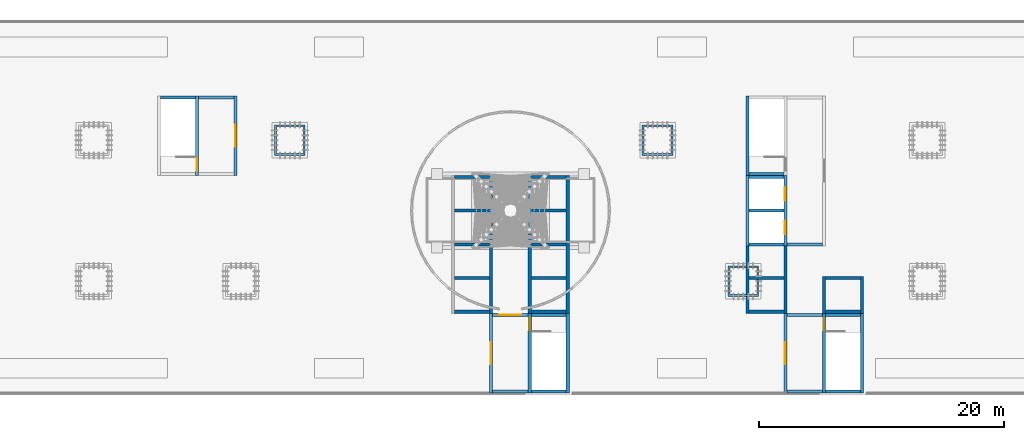
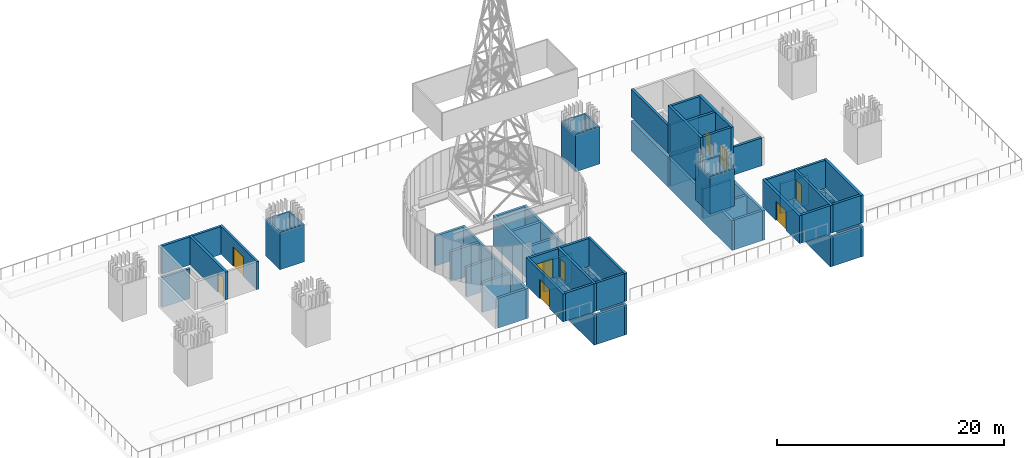
# One storey, part 3 of 8: 64 walls, 9 doors, 9 openings.
"""IFC4 building model written with IfcOpenShell, lengths in metres."""

import ifcopenshell
import ifcopenshell.guid

model = None  # the IFC model being written
_history = None  # IfcOwnerHistory: only IFC2X3 demands one
_inside = {}  # id of a spatial element -> (the spatial element, [elements in it])
_under = {}  # id of a project, library or spatial element -> (it, [spatial elements below it])
_declared = {}  # id of a project -> (the project, [libraries it declares])
_typed = {}  # id of a type object -> (the type object, [elements of that type])
_made_of = {}  # id of a material, layer set ... -> (it, [elements and type objects made of it])


def new_model(schema):
    """Start an empty IFC model of exactly this schema.

    Asked for "IFC4X3", IfcOpenShell would pick the latest addendum, in which some entities
    have other attributes; the version numbers below select the first issue.
    IFC2X3 requires an IfcOwnerHistory on every rooted entity: one is made here for all.
    """
    global model, _history
    if schema == "IFC4X3":
        model = ifcopenshell.file(schema_version=(4, 3, 0, 0))
    else:
        model = ifcopenshell.file(schema=schema)
    _inside.clear()
    _under.clear()
    _declared.clear()
    _typed.clear()
    _made_of.clear()
    _history = None
    if model.schema == "IFC2X3":
        org = make("IfcOrganization", Name="unknown")
        user = make(
            "IfcPersonAndOrganization",
            ThePerson=make("IfcPerson", FamilyName="unknown"),
            TheOrganization=org,
        )
        app = make(
            "IfcApplication",
            ApplicationDeveloper=org,
            Version="unknown",
            ApplicationFullName="unknown",
            ApplicationIdentifier="unknown",
        )
        _history = make(
            "IfcOwnerHistory",
            OwningUser=user,
            OwningApplication=app,
            ChangeAction="ADDED",
            CreationDate=0,
        )
    return model


def make(cls, **values):
    """One entity of the class cls with the attributes given. An attribute that is None is left unset."""
    return model.create_entity(
        cls, **{name: value for name, value in values.items() if value is not None}
    )


def rooted(cls, **values):
    """An entity with a GlobalId (a new one), such as an element, a storey or a relation."""
    return make(cls, GlobalId=ifcopenshell.guid.new(), OwnerHistory=_history, **values)


def si_unit(unit_type, name, prefix=None):
    """IfcSIUnit, for example si_unit("LENGTHUNIT", "METRE", prefix="MILLI")."""
    return make("IfcSIUnit", UnitType=unit_type, Prefix=prefix, Name=name)


def assignment(units):
    """IfcUnitAssignment: the units of a project."""
    return None if units is None else make("IfcUnitAssignment", Units=units)


def point(xyz):
    """IfcCartesianPoint."""
    return None if xyz is None else make("IfcCartesianPoint", Coordinates=xyz)


def direction(xyz):
    """IfcDirection."""
    return None if xyz is None else make("IfcDirection", DirectionRatios=xyz)


def frame(location, z_axis=None, x_axis=None):
    """IfcAxis2Placement3D, a coordinate frame: its origin and axes. An axis left out is left unset."""
    return make(
        "IfcAxis2Placement3D",
        Location=point(location),
        Axis=direction(z_axis),
        RefDirection=direction(x_axis),
    )


def frame_2d(location, x_axis=None):
    """IfcAxis2Placement2D, a coordinate frame in the plane: its origin and x axis."""
    return make(
        "IfcAxis2Placement2D", Location=point(location), RefDirection=direction(x_axis)
    )


def origin():
    """The frame at (0, 0, 0) with its axes left unset."""
    return frame((0.0, 0.0, 0.0))


def place(relative_to, where):
    """IfcLocalPlacement: puts the frame where relative to a parent placement (None: the world)."""
    return make(
        "IfcLocalPlacement", PlacementRelTo=relative_to, RelativePlacement=where
    )


def context(
    kind, dimensions, precision=None, world=None, true_north=None, identifier=None
):
    """IfcGeometricRepresentationContext, for example the 3D "Model" context."""
    return make(
        "IfcGeometricRepresentationContext",
        ContextIdentifier=identifier,
        ContextType=kind,
        CoordinateSpaceDimension=dimensions,
        Precision=precision,
        WorldCoordinateSystem=world,
        TrueNorth=true_north,
    )


def subcontext(parent, identifier, kind, view, scale=None):
    """IfcGeometricRepresentationSubContext, for example "Body" below "Model"."""
    return make(
        "IfcGeometricRepresentationSubContext",
        ContextIdentifier=identifier,
        ContextType=kind,
        ParentContext=parent,
        TargetScale=scale,
        TargetView=view,
    )


def project(units=None, contexts=None):
    """IfcProject with its units and contexts."""
    return rooted(
        "IfcProject",
        Name="project",
        RepresentationContexts=contexts,
        UnitsInContext=assignment(units),
    )


def spatial(cls, under=None, at=None, **own):
    """A site, building, storey or space (cls), placed at a placement, below another one or the project."""
    s = rooted(cls, ObjectPlacement=at, **own)
    if under is not None:
        _under.setdefault(under.id(), (under, []))[1].append(s)
    return s


def polyline(points):
    """IfcPolyline through the points."""
    return make("IfcPolyline", Points=[point(p) for p in points])


def profile(cls, at=None, kind="AREA", **sizes):
    """A parametric profile (cls). Its sizes go by their IFC names, for example OverallWidth=200.0."""
    return make(cls, ProfileType=kind, Position=at, **sizes)


def rectangle(**sizes):
    """IfcRectangleProfileDef."""
    return profile("IfcRectangleProfileDef", **sizes)


def outline(outer, holes=None, kind="AREA"):
    """IfcArbitraryClosedProfileDef: a profile drawn as a closed curve; with holes, ...WithVoids."""
    if holes is None:
        return make("IfcArbitraryClosedProfileDef", ProfileType=kind, OuterCurve=outer)
    return make(
        "IfcArbitraryProfileDefWithVoids",
        ProfileType=kind,
        OuterCurve=outer,
        InnerCurves=holes,
    )


def extrude(swept, where, along, depth):
    """IfcExtrudedAreaSolid: the profile swept, set in the frame where, extruded along a direction by depth."""
    return make(
        "IfcExtrudedAreaSolid",
        SweptArea=swept,
        Position=where,
        ExtrudedDirection=direction(along),
        Depth=depth,
    )


def shape(context_of_items, identifier, shape_type, items):
    """IfcShapeRepresentation: the items that make up one representation, for example the "Body"."""
    return make(
        "IfcShapeRepresentation",
        ContextOfItems=context_of_items,
        RepresentationIdentifier=identifier,
        RepresentationType=shape_type,
        Items=items,
    )


def material(Name=None, Category=None):
    """IfcMaterial."""
    return make("IfcMaterial", Name=Name, Category=Category)


def layer(
    of_material, thickness, ventilated=None, Name=None, Category=None, Priority=None
):
    """IfcMaterialLayer: one layer of a wall or slab, of a material (None: an air gap)."""
    return make(
        "IfcMaterialLayer",
        Material=of_material,
        LayerThickness=thickness,
        IsVentilated=ventilated,
        Name=Name,
        Category=Category,
        Priority=Priority,
    )


def layer_set(layers, Name=None):
    """IfcMaterialLayerSet."""
    return make("IfcMaterialLayerSet", MaterialLayers=layers, LayerSetName=Name)


def made_of(thing, what):
    """Note that an element or type object is made of a material, layer set ...; save() writes the relation."""
    if what is not None:
        _made_of.setdefault(what.id(), (what, []))[1].append(thing)
    return thing


def type_object(cls, material=None, **own):
    """A type object (cls), such as IfcWallType, which elements share."""
    return made_of(rooted(cls, **own), material)


def element(
    cls,
    number,
    at=None,
    inside=None,
    cuts=None,
    type_object=None,
    material=None,
    context=None,
    identifier="Body",
    shape_type=None,
    held_by="IfcProductDefinitionShape",
    body=None,
    shapes=None,
    **own,
):
    """One element of the class cls, such as IfcWall. Its Tag is "e" and its number.

    at: its placement. inside: the storey or other place that contains it. cuts: it is an
    opening in that element (IfcRelVoidsElement). A single representation is given by context,
    identifier, shape_type and body (its items); several are given by shapes. held_by: the class
    of the entity that holds the representations. save() writes the other relations.
    """
    e = rooted(cls, Tag="e%d" % number, ObjectPlacement=at, **own)
    if body is not None:
        shapes = [shape(context, identifier, shape_type, body)]
    if shapes is not None:
        e.Representation = make(held_by, Representations=shapes)
    if inside is not None:
        _inside.setdefault(inside.id(), (inside, []))[1].append(e)
    if cuts is not None:
        rooted(
            "IfcRelVoidsElement", RelatingBuildingElement=cuts, RelatedOpeningElement=e
        )
    if type_object is not None:
        _typed.setdefault(type_object.id(), (type_object, []))[1].append(e)
    return made_of(e, material)


def fill(opening, filler):
    """IfcRelFillsElement: the door or window that sits in an opening."""
    return rooted(
        "IfcRelFillsElement",
        RelatingOpeningElement=opening,
        RelatedBuildingElement=filler,
    )


def aggregate(whole, parts):
    """IfcRelAggregates: a whole, such as a stair, and the parts it consists of."""
    return rooted("IfcRelAggregates", RelatingObject=whole, RelatedObjects=parts)


def save(model, path):
    """Write the relations noted so far, then the file.

    IfcRelAggregates (storeys below a building ...), IfcRelContainedInSpatialStructure (elements
    in a storey), IfcRelDefinesByType, IfcRelAssociatesMaterial and IfcRelDeclares: one each for
    every whole, place, type object, material and project.
    """
    for whole, parts in _under.values():
        aggregate(whole, parts)
    for where, things in _inside.values():
        rooted(
            "IfcRelContainedInSpatialStructure",
            RelatedElements=things,
            RelatingStructure=where,
        )
    for kind, things in _typed.values():
        rooted("IfcRelDefinesByType", RelatedObjects=things, RelatingType=kind)
    for what, things in _made_of.values():
        rooted("IfcRelAssociatesMaterial", RelatedObjects=things, RelatingMaterial=what)
    for by, libraries in _declared.values():
        rooted("IfcRelDeclares", RelatingContext=by, RelatedDefinitions=libraries)
    model.write(path)


model = new_model("IFC4")

# Units and contexts
model_context = context("Model", 3, precision=1e-05, world=origin(), true_north=direction((0.0, 1.0)))
body_context = subcontext(model_context, "Body", "Model", "MODEL_VIEW")
ifc_project = project(units=[si_unit("LENGTHUNIT", "METRE"), si_unit("AREAUNIT", "SQUARE_METRE"), si_unit("VOLUMEUNIT", "CUBIC_METRE"), si_unit("PLANEANGLEUNIT", "RADIAN"), si_unit("MASSUNIT", "GRAM", prefix="KILO")], contexts=[model_context])

# Site, building, storey
site_placement = place(None, origin())
site = spatial("IfcSite", under=ifc_project, at=site_placement, CompositionType="ELEMENT")
building_placement = place(site_placement, origin())
building = spatial("IfcBuilding", under=site, at=building_placement, Name="Mahtab Terrace Research Tower", CompositionType="ELEMENT")
storey_placement = place(building_placement, frame((0.0, 0.0, 289.699951171875)))
storey = spatial("IfcBuildingStorey", under=building, at=storey_placement, Name="L70", CompositionType="ELEMENT", Elevation=289.699951171875)

# Walls
ifc_material_1 = material(Name="Black aluminium cladding panel", Category="aluminium")
ifc_layer_1 = layer(ifc_material_1, 0.14990234375)
ifc_layer_set_1 = layer_set([ifc_layer_1], Name="Badgir exhaust stack wall 150")
wall_type_1 = type_object("IfcWallType", Name="Badgir exhaust stack wall 150", PredefinedType="USERDEFINED", material=ifc_layer_set_1)
wall_1_placement = place(storey_placement, origin())
element("IfcWall", 1, at=wall_1_placement, inside=storey, type_object=wall_type_1, Name="Badgir exhaust stack 4", ObjectType="PLANT STACK", PredefinedType="USERDEFINED", context=body_context, shape_type="SweptSolid", body=[
    extrude(outline(polyline([(-16.75, 10.25), (-16.75, 12.75), (-19.25, 12.75), (-19.25, 10.25), (-16.75, 10.25)]), holes=[polyline([(-16.89990234375, 10.39990234375), (-16.89990234375, 12.60009765625), (-19.10009765625, 12.60009765625), (-19.10009765625, 10.39990234375), (-16.89990234375, 10.39990234375)])]), origin(), (0.0, 0.0, 1.0), 4.0),
])
wall_2_placement = place(storey_placement, origin())
element("IfcWall", 2, at=wall_2_placement, inside=storey, type_object=wall_type_1, Name="Badgir exhaust stack 5", ObjectType="PLANT STACK", PredefinedType="USERDEFINED", context=body_context, shape_type="SweptSolid", body=[
    extrude(outline(polyline([(20.25, -1.25), (20.25, 1.25), (17.75, 1.25), (17.75, -1.25), (20.25, -1.25)]), holes=[polyline([(20.10009765625, -1.10009765625), (20.10009765625, 1.10009765625), (17.89990234375, 1.10009765625), (17.89990234375, -1.10009765625), (20.10009765625, -1.10009765625)])]), origin(), (0.0, 0.0, 1.0), 4.0),
])
wall_3_placement = place(storey_placement, origin())
element("IfcWall", 3, at=wall_3_placement, inside=storey, type_object=wall_type_1, Name="Badgir exhaust stack 6", ObjectType="PLANT STACK", PredefinedType="USERDEFINED", context=body_context, shape_type="SweptSolid", body=[
    extrude(outline(polyline([(13.25, 10.25), (13.25, 12.75), (10.75, 12.75), (10.75, 10.25), (13.25, 10.25)]), holes=[polyline([(13.10009765625, 10.39990234375), (13.10009765625, 12.60009765625), (10.89990234375, 12.60009765625), (10.89990234375, 10.39990234375), (13.10009765625, 10.39990234375)])]), origin(), (0.0, 0.0, 1.0), 4.0),
])
ifc_material_2 = material(Name="Concrete C70/85", Category="concrete")
ifc_layer_2 = layer(ifc_material_2, 0.25)
ifc_layer_set_2 = layer_set([ifc_layer_2], Name="Core wall 250")
wall_type_2 = type_object("IfcWallType", Name="Core wall 250", PredefinedType="SOLIDWALL", material=ifc_layer_set_2)
wall_4_placement = place(storey_placement, frame((-28.550048828125, 15.0, -3.599853515625), z_axis=(0.0, 0.0, 1.0), x_axis=(1.0, 0.0, 0.0)))
element("IfcWall", 4, at=wall_4_placement, inside=storey, type_object=wall_type_2, Name="Stair ST1 plenum wall N", PredefinedType="SOLIDWALL", context=body_context, shape_type="SweptSolid", body=[
    extrude(rectangle(XDim=2.85009765625, YDim=0.25, at=frame_2d((1.425048828125, 0.0))), origin(), (0.0, 0.0, 1.0), 3.199951171875),
])

# Wall, opening, door
wall_5_placement = place(storey_placement, frame((-25.574951171875, 8.625, 0.0), z_axis=(0.0, 0.0, 1.0), x_axis=(0.0, 1.0, 0.0)))
wall_5 = element("IfcWall", 5, at=wall_5_placement, inside=storey, type_object=wall_type_2, Name="Stair ST1 head house wall E", PredefinedType="SOLIDWALL", context=body_context, shape_type="SweptSolid", body=[
    extrude(rectangle(XDim=6.5, YDim=0.25, at=frame_2d((3.25, 0.0))), origin(), (0.0, 0.0, 1.0), 3.0),
])
opening_1_placement = place(wall_5_placement, frame((0.39990234375, 0.0, 0.0)))
opening_1 = element("IfcOpeningElement", 6, at=opening_1_placement, cuts=wall_5, Name="Opening ST1-HD", PredefinedType="OPENING", context=body_context, shape_type="SweptSolid", body=[
    extrude(rectangle(XDim=1.0, YDim=2.10009765625, at=frame_2d((0.5, 1.050048828125))), frame((0.0, 0.135009765625, 0.0), z_axis=(0.0, -1.0, 0.0), x_axis=(1.0, 0.0, 0.0)), (0.0, 0.0, 1.0), 0.27001953125),
])
ifc_material_3 = material(Name="Steel fire door", Category="steel")
door_type_1 = type_object("IfcDoorType", Name="Stair door 1000x2100 1.5 HR", OperationType="NOTDEFINED", PredefinedType="DOOR", material=ifc_material_3)
door_1_placement = place(opening_1_placement, origin())
door_1 = element("IfcDoor", 7, at=door_1_placement, inside=storey, type_object=door_type_1, Name="Stair door ST1 L70", OperationType="SINGLE_SWING_LEFT", OverallHeight=2.10009765625, OverallWidth=1.0, PredefinedType="DOOR", context=body_context, shape_type="SweptSolid", body=[
    extrude(rectangle(XDim=1.0, YDim=2.10009765625, at=frame_2d((0.5, 1.050048828125))), frame((0.0, 0.02490234375, 0.0), z_axis=(0.0, -1.0, 0.0), x_axis=(1.0, 0.0, 0.0)), (0.0, 0.0, 1.0), 0.050048828125),
])
fill(opening_1, door_1)

# Wall
wall_6_placement = place(storey_placement, frame((-28.550048828125, 15.0, 0.0), z_axis=(0.0, 0.0, 1.0), x_axis=(1.0, 0.0, 0.0)))
element("IfcWall", 8, at=wall_6_placement, inside=storey, type_object=wall_type_2, Name="Stair ST1 head house wall N", PredefinedType="SOLIDWALL", context=body_context, shape_type="SweptSolid", body=[
    extrude(rectangle(XDim=2.85009765625, YDim=0.25, at=frame_2d((1.425048828125, 0.0))), origin(), (0.0, 0.0, 1.0), 3.0),
])

# Wall, opening, door
wall_7_placement = place(storey_placement, frame((-22.425048828125, 8.625, 0.0), z_axis=(0.0, 0.0, 1.0), x_axis=(0.0, 1.0, 0.0)))
wall_7 = element("IfcWall", 9, at=wall_7_placement, inside=storey, type_object=wall_type_2, Name="Roof lobby ST1 far wall", PredefinedType="SOLIDWALL", context=body_context, shape_type="SweptSolid", body=[
    extrude(rectangle(XDim=6.5, YDim=0.25, at=frame_2d((3.25, 0.0))), origin(), (0.0, 0.0, 1.0), 3.0),
])
opening_2_placement = place(wall_7_placement, frame((2.35009765625, 0.0, 0.0)))
opening_2 = element("IfcOpeningElement", 10, at=opening_2_placement, cuts=wall_7, Name="Opening ST1-RL-EX", PredefinedType="OPENING", context=body_context, shape_type="SweptSolid", body=[
    extrude(rectangle(XDim=1.800048828125, YDim=2.10009765625, at=frame_2d((0.89990234375, 1.050048828125))), frame((0.0, 0.135009765625, 0.0), z_axis=(0.0, -1.0, 0.0), x_axis=(1.0, 0.0, 0.0)), (0.0, 0.0, 1.0), 0.27001953125),
])
door_type_2 = type_object("IfcDoorType", Name="Lobby double door 1800x2100 1 HR", OperationType="DOUBLE_DOOR_SINGLE_SWING", PredefinedType="DOOR", material=ifc_material_3)
door_2_placement = place(opening_2_placement, origin())
door_2 = element("IfcDoor", 11, at=door_2_placement, inside=storey, type_object=door_type_2, Name="Roof lobby ST1 exit door", OperationType="DOUBLE_DOOR_SINGLE_SWING", OverallHeight=2.10009765625, OverallWidth=1.800048828125, PredefinedType="DOOR", context=body_context, shape_type="SweptSolid", body=[
    extrude(rectangle(XDim=1.800048828125, YDim=2.10009765625, at=frame_2d((0.89990234375, 1.050048828125))), frame((0.0, 0.02490234375, 0.0), z_axis=(0.0, -1.0, 0.0), x_axis=(1.0, 0.0, 0.0)), (0.0, 0.0, 1.0), 0.050048828125),
])
fill(opening_2, door_2)

# Walls
wall_8_placement = place(storey_placement, frame((-25.449951171875, 15.0, 0.0), z_axis=(0.0, 0.0, 1.0), x_axis=(1.0, 0.0, 0.0)))
element("IfcWall", 12, at=wall_8_placement, inside=storey, type_object=wall_type_2, Name="Roof lobby ST1 wall N", PredefinedType="SOLIDWALL", context=body_context, shape_type="SweptSolid", body=[
    extrude(rectangle(XDim=2.89990234375, YDim=0.25, at=frame_2d((1.449951171875, 0.0))), origin(), (0.0, 0.0, 1.0), 3.0),
])
wall_9_placement = place(storey_placement, frame((-1.574951171875, -2.625, -3.599853515625), z_axis=(0.0, 0.0, 1.0), x_axis=(0.0, 1.0, 0.0)))
element("IfcWall", 13, at=wall_9_placement, inside=storey, type_object=wall_type_2, Name="Core wall B frontW", PredefinedType="SOLIDWALL", context=body_context, shape_type="SweptSolid", body=[
    extrude(rectangle(XDim=11.25, YDim=0.25, at=frame_2d((5.625, 0.0))), origin(), (0.0, 0.0, 1.0), 3.199951171875),
])
for number, where, z_axis, x_axis, name in (
    (14, (-4.550048828125, -2.5, -3.599853515625), (0.0, 0.0, 1.0), (1.0, 0.0, 0.0), "Core wall B divW0"),
    (15, (-4.550048828125, 0.25, -3.599853515625), (0.0, 0.0, 1.0), (1.0, 0.0, 0.0), "Core wall B divW1"),
    (16, (-4.550048828125, 3.0, -3.599853515625), (0.0, 0.0, 1.0), (1.0, 0.0, 0.0), "Core wall B divW2"),
    (17, (-4.550048828125, 5.75, -3.599853515625), (0.0, 0.0, 1.0), (1.0, 0.0, 0.0), "Core wall B divW3"),
    (18, (-4.550048828125, 8.5, -3.599853515625), (0.0, 0.0, 1.0), (1.0, 0.0, 0.0), "Core wall B divW4"),
):
    element("IfcWall", number, at=place(storey_placement, frame(where, z_axis=z_axis, x_axis=x_axis)), inside=storey, type_object=wall_type_2, Name=name, PredefinedType="SOLIDWALL", context=body_context, shape_type="SweptSolid", body=[
        extrude(rectangle(XDim=2.85009765625, YDim=0.25, at=frame_2d((1.425048828125, 0.0))), origin(), (0.0, 0.0, 1.0), 3.199951171875),
    ])
for number, where, z_axis, x_axis, name in (
    (19, (4.675048828125, -2.625, -3.599853515625), (0.0, 0.0, 1.0), (0.0, 1.0, 0.0), "Core wall B outerE"),
    (20, (1.574951171875, -2.625, -3.599853515625), (0.0, 0.0, 1.0), (0.0, 1.0, 0.0), "Core wall B frontE"),
):
    element("IfcWall", number, at=place(storey_placement, frame(where, z_axis=z_axis, x_axis=x_axis)), inside=storey, type_object=wall_type_2, Name=name, PredefinedType="SOLIDWALL", context=body_context, shape_type="SweptSolid", body=[
        extrude(rectangle(XDim=11.25, YDim=0.25, at=frame_2d((5.625, 0.0))), origin(), (0.0, 0.0, 1.0), 3.199951171875),
    ])
for number, where, z_axis, x_axis, name in (
    (21, (1.699951171875, -2.5, -3.599853515625), (0.0, 0.0, 1.0), (1.0, 0.0, 0.0), "Core wall B divE0"),
    (22, (1.699951171875, 0.25, -3.599853515625), (0.0, 0.0, 1.0), (1.0, 0.0, 0.0), "Core wall B divE1"),
    (23, (1.699951171875, 3.0, -3.599853515625), (0.0, 0.0, 1.0), (1.0, 0.0, 0.0), "Core wall B divE2"),
    (24, (1.699951171875, 5.75, -3.599853515625), (0.0, 0.0, 1.0), (1.0, 0.0, 0.0), "Core wall B divE3"),
    (25, (1.699951171875, 8.5, -3.599853515625), (0.0, 0.0, 1.0), (1.0, 0.0, 0.0), "Core wall B divE4"),
):
    element("IfcWall", number, at=place(storey_placement, frame(where, z_axis=z_axis, x_axis=x_axis)), inside=storey, type_object=wall_type_2, Name=name, PredefinedType="SOLIDWALL", context=body_context, shape_type="SweptSolid", body=[
        extrude(rectangle(XDim=2.85009765625, YDim=0.25, at=frame_2d((1.425048828125, 0.0))), origin(), (0.0, 0.0, 1.0), 3.199951171875),
    ])
for number, where, z_axis, x_axis, name in (
    (26, (1.574951171875, -9.125, -3.599853515625), (0.0, 0.0, 1.0), (0.0, 1.0, 0.0), "Stair ST2 plenum wall W"),
    (27, (4.675048828125, -9.125, -3.599853515625), (0.0, 0.0, 1.0), (0.0, 1.0, 0.0), "Stair ST2 plenum wall E"),
):
    element("IfcWall", number, at=place(storey_placement, frame(where, z_axis=z_axis, x_axis=x_axis)), inside=storey, type_object=wall_type_2, Name=name, PredefinedType="SOLIDWALL", context=body_context, shape_type="SweptSolid", body=[
        extrude(rectangle(XDim=6.5, YDim=0.25, at=frame_2d((3.25, 0.0))), origin(), (0.0, 0.0, 1.0), 3.199951171875),
    ])
for number, where, z_axis, x_axis, name in (
    (28, (1.699951171875, -9.0, -3.599853515625), (0.0, 0.0, 1.0), (1.0, 0.0, 0.0), "Stair ST2 plenum wall S"),
    (29, (1.699951171875, -2.75, -3.599853515625), (0.0, 0.0, 1.0), (1.0, 0.0, 0.0), "Stair ST2 plenum wall N"),
):
    element("IfcWall", number, at=place(storey_placement, frame(where, z_axis=z_axis, x_axis=x_axis)), inside=storey, type_object=wall_type_2, Name=name, PredefinedType="SOLIDWALL", context=body_context, shape_type="SweptSolid", body=[
        extrude(rectangle(XDim=2.85009765625, YDim=0.25, at=frame_2d((1.425048828125, 0.0))), origin(), (0.0, 0.0, 1.0), 3.199951171875),
    ])

# Wall, opening, door
wall_10_placement = place(storey_placement, frame((1.574951171875, -9.125, 0.0), z_axis=(0.0, 0.0, 1.0), x_axis=(0.0, 1.0, 0.0)))
wall_10 = element("IfcWall", 30, at=wall_10_placement, inside=storey, type_object=wall_type_2, Name="Stair ST2 head house wall W", PredefinedType="SOLIDWALL", context=body_context, shape_type="SweptSolid", body=[
    extrude(rectangle(XDim=6.5, YDim=0.25, at=frame_2d((3.25, 0.0))), origin(), (0.0, 0.0, 1.0), 3.0),
])
opening_3_placement = place(wall_10_placement, frame((5.10009765625, 0.0, 0.0)))
opening_3 = element("IfcOpeningElement", 31, at=opening_3_placement, cuts=wall_10, Name="Opening ST2-HD", PredefinedType="OPENING", context=body_context, shape_type="SweptSolid", body=[
    extrude(rectangle(XDim=1.0, YDim=2.10009765625, at=frame_2d((0.5, 1.050048828125))), frame((0.0, 0.135009765625, 0.0), z_axis=(0.0, -1.0, 0.0), x_axis=(1.0, 0.0, 0.0)), (0.0, 0.0, 1.0), 0.27001953125),
])
door_3_placement = place(opening_3_placement, origin())
door_3 = element("IfcDoor", 32, at=door_3_placement, inside=storey, type_object=door_type_1, Name="Stair door ST2 L70", OperationType="SINGLE_SWING_LEFT", OverallHeight=2.10009765625, OverallWidth=1.0, PredefinedType="DOOR", context=body_context, shape_type="SweptSolid", body=[
    extrude(rectangle(XDim=1.0, YDim=2.10009765625, at=frame_2d((0.5, 1.050048828125))), frame((0.0, 0.02490234375, 0.0), z_axis=(0.0, -1.0, 0.0), x_axis=(1.0, 0.0, 0.0)), (0.0, 0.0, 1.0), 0.050048828125),
])
fill(opening_3, door_3)

# Walls
wall_11_placement = place(storey_placement, frame((4.675048828125, -9.125, 0.0), z_axis=(0.0, 0.0, 1.0), x_axis=(0.0, 1.0, 0.0)))
element("IfcWall", 33, at=wall_11_placement, inside=storey, type_object=wall_type_2, Name="Stair ST2 head house wall E", PredefinedType="SOLIDWALL", context=body_context, shape_type="SweptSolid", body=[
    extrude(rectangle(XDim=6.5, YDim=0.25, at=frame_2d((3.25, 0.0))), origin(), (0.0, 0.0, 1.0), 3.0),
])
for number, where, z_axis, x_axis, name in (
    (34, (1.699951171875, -9.0, 0.0), (0.0, 0.0, 1.0), (1.0, 0.0, 0.0), "Stair ST2 head house wall S"),
    (35, (1.699951171875, -2.75, 0.0), (0.0, 0.0, 1.0), (1.0, 0.0, 0.0), "Stair ST2 head house wall N"),
):
    element("IfcWall", number, at=place(storey_placement, frame(where, z_axis=z_axis, x_axis=x_axis)), inside=storey, type_object=wall_type_2, Name=name, PredefinedType="SOLIDWALL", context=body_context, shape_type="SweptSolid", body=[
        extrude(rectangle(XDim=2.85009765625, YDim=0.25, at=frame_2d((1.425048828125, 0.0))), origin(), (0.0, 0.0, 1.0), 3.0),
    ])

# Wall, opening, door
wall_12_placement = place(storey_placement, frame((-1.574951171875, -9.125, 0.0), z_axis=(0.0, 0.0, 1.0), x_axis=(0.0, 1.0, 0.0)))
wall_12 = element("IfcWall", 36, at=wall_12_placement, inside=storey, type_object=wall_type_2, Name="Roof lobby ST2 far wall", PredefinedType="SOLIDWALL", context=body_context, shape_type="SweptSolid", body=[
    extrude(rectangle(XDim=6.5, YDim=0.25, at=frame_2d((3.25, 0.0))), origin(), (0.0, 0.0, 1.0), 3.0),
])
opening_4_placement = place(wall_12_placement, frame((2.35009765625, 0.0, 0.0)))
opening_4 = element("IfcOpeningElement", 37, at=opening_4_placement, cuts=wall_12, Name="Opening ST2-RL-EX", PredefinedType="OPENING", context=body_context, shape_type="SweptSolid", body=[
    extrude(rectangle(XDim=1.800048828125, YDim=2.10009765625, at=frame_2d((0.89990234375, 1.050048828125))), frame((0.0, 0.135009765625, 0.0), z_axis=(0.0, -1.0, 0.0), x_axis=(1.0, 0.0, 0.0)), (0.0, 0.0, 1.0), 0.27001953125),
])
door_4_placement = place(opening_4_placement, origin())
door_4 = element("IfcDoor", 38, at=door_4_placement, inside=storey, type_object=door_type_2, Name="Roof lobby ST2 exit door", OperationType="DOUBLE_DOOR_SINGLE_SWING", OverallHeight=2.10009765625, OverallWidth=1.800048828125, PredefinedType="DOOR", context=body_context, shape_type="SweptSolid", body=[
    extrude(rectangle(XDim=1.800048828125, YDim=2.10009765625, at=frame_2d((0.89990234375, 1.050048828125))), frame((0.0, 0.02490234375, 0.0), z_axis=(0.0, -1.0, 0.0), x_axis=(1.0, 0.0, 0.0)), (0.0, 0.0, 1.0), 0.050048828125),
])
fill(opening_4, door_4)

# Wall
wall_13_placement = place(storey_placement, frame((-1.449951171875, -9.0, 0.0), z_axis=(0.0, 0.0, 1.0), x_axis=(1.0, 0.0, 0.0)))
element("IfcWall", 39, at=wall_13_placement, inside=storey, type_object=wall_type_2, Name="Roof lobby ST2 wall S", PredefinedType="SOLIDWALL", context=body_context, shape_type="SweptSolid", body=[
    extrude(rectangle(XDim=2.89990234375, YDim=0.25, at=frame_2d((1.449951171875, 0.0))), origin(), (0.0, 0.0, 1.0), 3.0),
])

# Wall, opening, door
wall_14_placement = place(storey_placement, frame((-1.449951171875, -2.75, 0.0), z_axis=(0.0, 0.0, 1.0), x_axis=(1.0, 0.0, 0.0)))
wall_14 = element("IfcWall", 40, at=wall_14_placement, inside=storey, type_object=wall_type_2, Name="Roof lobby ST2 wall N", PredefinedType="SOLIDWALL", context=body_context, shape_type="SweptSolid", body=[
    extrude(rectangle(XDim=2.89990234375, YDim=0.25, at=frame_2d((1.449951171875, 0.0))), origin(), (0.0, 0.0, 1.0), 3.0),
])
opening_5_placement = place(wall_14_placement, frame((0.550048828125, 0.0, 0.0)))
opening_5 = element("IfcOpeningElement", 41, at=opening_5_placement, cuts=wall_14, Name="Opening ST2-RL-PD", PredefinedType="OPENING", context=body_context, shape_type="SweptSolid", body=[
    extrude(rectangle(XDim=1.800048828125, YDim=2.10009765625, at=frame_2d((0.89990234375, 1.050048828125))), frame((0.0, 0.135009765625, 0.0), z_axis=(0.0, -1.0, 0.0), x_axis=(1.0, 0.0, 0.0)), (0.0, 0.0, 1.0), 0.27001953125),
])
door_5_placement = place(opening_5_placement, origin())
door_5 = element("IfcDoor", 42, at=door_5_placement, inside=storey, type_object=door_type_2, Name="Roof lobby ST2 plant drum door", OperationType="DOUBLE_DOOR_SINGLE_SWING", OverallHeight=2.10009765625, OverallWidth=1.800048828125, PredefinedType="DOOR", context=body_context, shape_type="SweptSolid", body=[
    extrude(rectangle(XDim=1.800048828125, YDim=2.10009765625, at=frame_2d((0.89990234375, 1.050048828125))), frame((0.0, 0.02490234375, 0.0), z_axis=(0.0, -1.0, 0.0), x_axis=(1.0, 0.0, 0.0)), (0.0, 0.0, 1.0), 0.050048828125),
])
fill(opening_5, door_5)

# Walls
for number, where, z_axis, x_axis, name in (
    (43, (19.324951171875, -2.625, -3.599853515625), (0.0, 0.0, 1.0), (0.0, 1.0, 0.0), "Core wall C outerW"),
    (44, (22.425048828125, -2.625, -3.599853515625), (0.0, 0.0, 1.0), (0.0, 1.0, 0.0), "Core wall C frontW"),
):
    element("IfcWall", number, at=place(storey_placement, frame(where, z_axis=z_axis, x_axis=x_axis)), inside=storey, type_object=wall_type_2, Name=name, PredefinedType="SOLIDWALL", context=body_context, shape_type="SweptSolid", body=[
        extrude(rectangle(XDim=11.25, YDim=0.25, at=frame_2d((5.625, 0.0))), origin(), (0.0, 0.0, 1.0), 3.199951171875),
    ])
for number, where, z_axis, x_axis, name in (
    (45, (19.449951171875, -2.5, -3.599853515625), (0.0, 0.0, 1.0), (1.0, 0.0, 0.0), "Core wall C divW0"),
    (46, (19.449951171875, 0.25, -3.599853515625), (0.0, 0.0, 1.0), (1.0, 0.0, 0.0), "Core wall C divW1"),
    (47, (19.449951171875, 3.0, -3.599853515625), (0.0, 0.0, 1.0), (1.0, 0.0, 0.0), "Core wall C divW2"),
    (48, (19.449951171875, 5.75, -3.599853515625), (0.0, 0.0, 1.0), (1.0, 0.0, 0.0), "Core wall C divW3"),
    (49, (19.449951171875, 8.5, -3.599853515625), (0.0, 0.0, 1.0), (1.0, 0.0, 0.0), "Core wall C divW4"),
):
    element("IfcWall", number, at=place(storey_placement, frame(where, z_axis=z_axis, x_axis=x_axis)), inside=storey, type_object=wall_type_2, Name=name, PredefinedType="SOLIDWALL", context=body_context, shape_type="SweptSolid", body=[
        extrude(rectangle(XDim=2.85009765625, YDim=0.25, at=frame_2d((1.425048828125, 0.0))), origin(), (0.0, 0.0, 1.0), 3.199951171875),
    ])
for number, where, z_axis, x_axis, name in (
    (50, (28.675048828125, -2.625, -3.599853515625), (0.0, 0.0, 1.0), (0.0, 1.0, 0.0), "Core wall C outerE"),
    (51, (25.574951171875, -2.625, -3.599853515625), (0.0, 0.0, 1.0), (0.0, 1.0, 0.0), "Core wall C frontE"),
):
    element("IfcWall", number, at=place(storey_placement, frame(where, z_axis=z_axis, x_axis=x_axis)), inside=storey, type_object=wall_type_2, Name=name, PredefinedType="SOLIDWALL", context=body_context, shape_type="SweptSolid", body=[
        extrude(rectangle(XDim=3.0, YDim=0.25, at=frame_2d((1.5, 0.0))), origin(), (0.0, 0.0, 1.0), 3.199951171875),
    ])
for number, where, z_axis, x_axis, name in (
    (52, (25.699951171875, -2.5, -3.599853515625), (0.0, 0.0, 1.0), (1.0, 0.0, 0.0), "Core wall C divE0"),
    (53, (25.699951171875, 0.25, -3.599853515625), (0.0, 0.0, 1.0), (1.0, 0.0, 0.0), "Core wall C divE1"),
):
    element("IfcWall", number, at=place(storey_placement, frame(where, z_axis=z_axis, x_axis=x_axis)), inside=storey, type_object=wall_type_2, Name=name, PredefinedType="SOLIDWALL", context=body_context, shape_type="SweptSolid", body=[
        extrude(rectangle(XDim=2.85009765625, YDim=0.25, at=frame_2d((1.425048828125, 0.0))), origin(), (0.0, 0.0, 1.0), 3.199951171875),
    ])
wall_15_placement = place(storey_placement, frame((19.324951171875, 8.625, -3.599853515625), z_axis=(0.0, 0.0, 1.0), x_axis=(0.0, 1.0, 0.0)))
element("IfcWall", 54, at=wall_15_placement, inside=storey, type_object=wall_type_2, Name="Stair ST3 plenum wall W", PredefinedType="SOLIDWALL", context=body_context, shape_type="SweptSolid", body=[
    extrude(rectangle(XDim=6.5, YDim=0.25, at=frame_2d((3.25, 0.0))), origin(), (0.0, 0.0, 1.0), 3.199951171875),
])
wall_16_placement = place(storey_placement, frame((19.449951171875, 8.75, -3.599853515625), z_axis=(0.0, 0.0, 1.0), x_axis=(1.0, 0.0, 0.0)))
element("IfcWall", 55, at=wall_16_placement, inside=storey, type_object=wall_type_2, Name="Stair ST3 plenum wall S", PredefinedType="SOLIDWALL", context=body_context, shape_type="SweptSolid", body=[
    extrude(rectangle(XDim=2.85009765625, YDim=0.25, at=frame_2d((1.425048828125, 0.0))), origin(), (0.0, 0.0, 1.0), 3.199951171875),
])
wall_17_placement = place(storey_placement, frame((19.324951171875, 8.625, 0.0), z_axis=(0.0, 0.0, 1.0), x_axis=(0.0, 1.0, 0.0)))
element("IfcWall", 56, at=wall_17_placement, inside=storey, type_object=wall_type_2, Name="Stair ST3 head house wall W", PredefinedType="SOLIDWALL", context=body_context, shape_type="SweptSolid", body=[
    extrude(rectangle(XDim=6.5, YDim=0.25, at=frame_2d((3.25, 0.0))), origin(), (0.0, 0.0, 1.0), 3.0),
])
wall_18_placement = place(storey_placement, frame((19.449951171875, 8.75, 0.0), z_axis=(0.0, 0.0, 1.0), x_axis=(1.0, 0.0, 0.0)))
element("IfcWall", 57, at=wall_18_placement, inside=storey, type_object=wall_type_2, Name="Stair ST3 head house wall S", PredefinedType="SOLIDWALL", context=body_context, shape_type="SweptSolid", body=[
    extrude(rectangle(XDim=2.85009765625, YDim=0.25, at=frame_2d((1.425048828125, 0.0))), origin(), (0.0, 0.0, 1.0), 3.0),
])
for number, where, z_axis, x_axis, name in (
    (58, (25.574951171875, -9.125, -3.599853515625), (0.0, 0.0, 1.0), (0.0, 1.0, 0.0), "Stair ST4 plenum wall W"),
    (59, (28.675048828125, -9.125, -3.599853515625), (0.0, 0.0, 1.0), (0.0, 1.0, 0.0), "Stair ST4 plenum wall E"),
):
    element("IfcWall", number, at=place(storey_placement, frame(where, z_axis=z_axis, x_axis=x_axis)), inside=storey, type_object=wall_type_2, Name=name, PredefinedType="SOLIDWALL", context=body_context, shape_type="SweptSolid", body=[
        extrude(rectangle(XDim=6.5, YDim=0.25, at=frame_2d((3.25, 0.0))), origin(), (0.0, 0.0, 1.0), 3.199951171875),
    ])
for number, where, z_axis, x_axis, name in (
    (60, (25.699951171875, -9.0, -3.599853515625), (0.0, 0.0, 1.0), (1.0, 0.0, 0.0), "Stair ST4 plenum wall S"),
    (61, (25.699951171875, -2.75, -3.599853515625), (0.0, 0.0, 1.0), (1.0, 0.0, 0.0), "Stair ST4 plenum wall N"),
):
    element("IfcWall", number, at=place(storey_placement, frame(where, z_axis=z_axis, x_axis=x_axis)), inside=storey, type_object=wall_type_2, Name=name, PredefinedType="SOLIDWALL", context=body_context, shape_type="SweptSolid", body=[
        extrude(rectangle(XDim=2.85009765625, YDim=0.25, at=frame_2d((1.425048828125, 0.0))), origin(), (0.0, 0.0, 1.0), 3.199951171875),
    ])

# Wall, opening, door
wall_19_placement = place(storey_placement, frame((25.574951171875, -9.125, 0.0), z_axis=(0.0, 0.0, 1.0), x_axis=(0.0, 1.0, 0.0)))
wall_19 = element("IfcWall", 62, at=wall_19_placement, inside=storey, type_object=wall_type_2, Name="Stair ST4 head house wall W", PredefinedType="SOLIDWALL", context=body_context, shape_type="SweptSolid", body=[
    extrude(rectangle(XDim=6.5, YDim=0.25, at=frame_2d((3.25, 0.0))), origin(), (0.0, 0.0, 1.0), 3.0),
])
opening_6_placement = place(wall_19_placement, frame((5.10009765625, 0.0, 0.0)))
opening_6 = element("IfcOpeningElement", 63, at=opening_6_placement, cuts=wall_19, Name="Opening ST4-HD", PredefinedType="OPENING", context=body_context, shape_type="SweptSolid", body=[
    extrude(rectangle(XDim=1.0, YDim=2.10009765625, at=frame_2d((0.5, 1.050048828125))), frame((0.0, 0.135009765625, 0.0), z_axis=(0.0, -1.0, 0.0), x_axis=(1.0, 0.0, 0.0)), (0.0, 0.0, 1.0), 0.27001953125),
])
door_6_placement = place(opening_6_placement, origin())
door_6 = element("IfcDoor", 64, at=door_6_placement, inside=storey, type_object=door_type_1, Name="Stair door ST4 L70", OperationType="SINGLE_SWING_LEFT", OverallHeight=2.10009765625, OverallWidth=1.0, PredefinedType="DOOR", context=body_context, shape_type="SweptSolid", body=[
    extrude(rectangle(XDim=1.0, YDim=2.10009765625, at=frame_2d((0.5, 1.050048828125))), frame((0.0, 0.02490234375, 0.0), z_axis=(0.0, -1.0, 0.0), x_axis=(1.0, 0.0, 0.0)), (0.0, 0.0, 1.0), 0.050048828125),
])
fill(opening_6, door_6)

# Walls
wall_20_placement = place(storey_placement, frame((28.675048828125, -9.125, 0.0), z_axis=(0.0, 0.0, 1.0), x_axis=(0.0, 1.0, 0.0)))
element("IfcWall", 65, at=wall_20_placement, inside=storey, type_object=wall_type_2, Name="Stair ST4 head house wall E", PredefinedType="SOLIDWALL", context=body_context, shape_type="SweptSolid", body=[
    extrude(rectangle(XDim=6.5, YDim=0.25, at=frame_2d((3.25, 0.0))), origin(), (0.0, 0.0, 1.0), 3.0),
])
for number, where, z_axis, x_axis, name in (
    (66, (25.699951171875, -9.0, 0.0), (0.0, 0.0, 1.0), (1.0, 0.0, 0.0), "Stair ST4 head house wall S"),
    (67, (25.699951171875, -2.75, 0.0), (0.0, 0.0, 1.0), (1.0, 0.0, 0.0), "Stair ST4 head house wall N"),
):
    element("IfcWall", number, at=place(storey_placement, frame(where, z_axis=z_axis, x_axis=x_axis)), inside=storey, type_object=wall_type_2, Name=name, PredefinedType="SOLIDWALL", context=body_context, shape_type="SweptSolid", body=[
        extrude(rectangle(XDim=2.85009765625, YDim=0.25, at=frame_2d((1.425048828125, 0.0))), origin(), (0.0, 0.0, 1.0), 3.0),
    ])

# Wall, opening, door
wall_21_placement = place(storey_placement, frame((22.425048828125, -9.125, 0.0), z_axis=(0.0, 0.0, 1.0), x_axis=(0.0, 1.0, 0.0)))
wall_21 = element("IfcWall", 68, at=wall_21_placement, inside=storey, type_object=wall_type_2, Name="Roof lobby ST4 far wall", PredefinedType="SOLIDWALL", context=body_context, shape_type="SweptSolid", body=[
    extrude(rectangle(XDim=6.5, YDim=0.25, at=frame_2d((3.25, 0.0))), origin(), (0.0, 0.0, 1.0), 3.0),
])
opening_7_placement = place(wall_21_placement, frame((2.35009765625, 0.0, 0.0)))
opening_7 = element("IfcOpeningElement", 69, at=opening_7_placement, cuts=wall_21, Name="Opening ST4-RL-EX", PredefinedType="OPENING", context=body_context, shape_type="SweptSolid", body=[
    extrude(rectangle(XDim=1.800048828125, YDim=2.10009765625, at=frame_2d((0.89990234375, 1.050048828125))), frame((0.0, 0.135009765625, 0.0), z_axis=(0.0, -1.0, 0.0), x_axis=(1.0, 0.0, 0.0)), (0.0, 0.0, 1.0), 0.27001953125),
])
door_7_placement = place(opening_7_placement, origin())
door_7 = element("IfcDoor", 70, at=door_7_placement, inside=storey, type_object=door_type_2, Name="Roof lobby ST4 exit door", OperationType="DOUBLE_DOOR_SINGLE_SWING", OverallHeight=2.10009765625, OverallWidth=1.800048828125, PredefinedType="DOOR", context=body_context, shape_type="SweptSolid", body=[
    extrude(rectangle(XDim=1.800048828125, YDim=2.10009765625, at=frame_2d((0.89990234375, 1.050048828125))), frame((0.0, 0.02490234375, 0.0), z_axis=(0.0, -1.0, 0.0), x_axis=(1.0, 0.0, 0.0)), (0.0, 0.0, 1.0), 0.050048828125),
])
fill(opening_7, door_7)

# Walls
for number, where, z_axis, x_axis, name in (
    (71, (22.550048828125, -9.0, 0.0), (0.0, 0.0, 1.0), (1.0, 0.0, 0.0), "Roof lobby ST4 wall S"),
    (72, (22.550048828125, -2.75, 0.0), (0.0, 0.0, 1.0), (1.0, 0.0, 0.0), "Roof lobby ST4 wall N"),
):
    element("IfcWall", number, at=place(storey_placement, frame(where, z_axis=z_axis, x_axis=x_axis)), inside=storey, type_object=wall_type_2, Name=name, PredefinedType="SOLIDWALL", context=body_context, shape_type="SweptSolid", body=[
        extrude(rectangle(XDim=2.89990234375, YDim=0.25, at=frame_2d((1.449951171875, 0.0))), origin(), (0.0, 0.0, 1.0), 3.0),
    ])
wall_22_placement = place(storey_placement, frame((19.324951171875, 2.875, 0.0), z_axis=(0.0, 0.0, 1.0), x_axis=(0.0, 1.0, 0.0)))
element("IfcWall", 73, at=wall_22_placement, inside=storey, type_object=wall_type_2, Name="Firefighting lift head house wall W", PredefinedType="SOLIDWALL", context=body_context, shape_type="SweptSolid", body=[
    extrude(rectangle(XDim=5.75, YDim=0.25, at=frame_2d((2.875, 0.0))), origin(), (0.0, 0.0, 1.0), 5.199951171875),
])

# Wall, openings, doors
wall_23_placement = place(storey_placement, frame((22.425048828125, 2.875, 0.0), z_axis=(0.0, 0.0, 1.0), x_axis=(0.0, 1.0, 0.0)))
wall_23 = element("IfcWall", 74, at=wall_23_placement, inside=storey, type_object=wall_type_2, Name="Firefighting lift head house front wall", PredefinedType="SOLIDWALL", context=body_context, shape_type="SweptSolid", body=[
    extrude(rectangle(XDim=5.75, YDim=0.25, at=frame_2d((2.875, 0.0))), origin(), (0.0, 0.0, 1.0), 5.199951171875),
])
opening_8_placement = place(wall_23_placement, frame((0.949951171875, 0.0, 0.0)))
opening_8 = element("IfcOpeningElement", 75, at=opening_8_placement, cuts=wall_23, Name="Opening LD19-L70", PredefinedType="OPENING", context=body_context, shape_type="SweptSolid", body=[
    extrude(rectangle(XDim=1.10009765625, YDim=2.10009765625, at=frame_2d((0.550048828125, 1.050048828125))), frame((0.0, 0.135009765625, 0.0), z_axis=(0.0, -1.0, 0.0), x_axis=(1.0, 0.0, 0.0)), (0.0, 0.0, 1.0), 0.27001953125),
])
opening_9_placement = place(wall_23_placement, frame((3.699951171875, 0.0, 0.0)))
opening_9 = element("IfcOpeningElement", 76, at=opening_9_placement, cuts=wall_23, Name="Opening LD20-L70", PredefinedType="OPENING", context=body_context, shape_type="SweptSolid", body=[
    extrude(rectangle(XDim=1.10009765625, YDim=2.10009765625, at=frame_2d((0.550048828125, 1.050048828125))), frame((0.0, 0.135009765625, 0.0), z_axis=(0.0, -1.0, 0.0), x_axis=(1.0, 0.0, 0.0)), (0.0, 0.0, 1.0), 0.27001953125),
])
ifc_material_4 = material(Name="Stainless steel AISI 304", Category="steel")
door_type_3 = type_object("IfcDoorType", Name="Landing door 1100x2100", OperationType="DOUBLE_DOOR_SLIDING", PredefinedType="DOOR", material=ifc_material_4)
door_8_placement = place(opening_8_placement, origin())
door_8 = element("IfcDoor", 77, at=door_8_placement, inside=storey, type_object=door_type_3, Name="Landing door FF1 L70", OperationType="DOUBLE_DOOR_SLIDING", OverallHeight=2.10009765625, OverallWidth=1.10009765625, PredefinedType="DOOR", context=body_context, shape_type="SweptSolid", body=[
    extrude(rectangle(XDim=1.10009765625, YDim=2.10009765625, at=frame_2d((0.550048828125, 1.050048828125))), frame((0.0, 0.02490234375, 0.0), z_axis=(0.0, -1.0, 0.0), x_axis=(1.0, 0.0, 0.0)), (0.0, 0.0, 1.0), 0.050048828125),
])
fill(opening_8, door_8)
door_9_placement = place(opening_9_placement, origin())
door_9 = element("IfcDoor", 78, at=door_9_placement, inside=storey, type_object=door_type_3, Name="Landing door FF2 L70", OperationType="DOUBLE_DOOR_SLIDING", OverallHeight=2.10009765625, OverallWidth=1.10009765625, PredefinedType="DOOR", context=body_context, shape_type="SweptSolid", body=[
    extrude(rectangle(XDim=1.10009765625, YDim=2.10009765625, at=frame_2d((0.550048828125, 1.050048828125))), frame((0.0, 0.02490234375, 0.0), z_axis=(0.0, -1.0, 0.0), x_axis=(1.0, 0.0, 0.0)), (0.0, 0.0, 1.0), 0.050048828125),
])
fill(opening_9, door_9)

# Walls
for number, where, z_axis, x_axis, name in (
    (79, (19.449951171875, 3.0, 0.0), (0.0, 0.0, 1.0), (1.0, 0.0, 0.0), "Firefighting lift head house divider"),
    (80, (19.449951171875, 5.75, 0.0), (0.0, 0.0, 1.0), (1.0, 0.0, 0.0), "Firefighting lift head house divider"),
    (81, (19.449951171875, 8.5, 0.0), (0.0, 0.0, 1.0), (1.0, 0.0, 0.0), "Firefighting lift head house divider"),
):
    element("IfcWall", number, at=place(storey_placement, frame(where, z_axis=z_axis, x_axis=x_axis)), inside=storey, type_object=wall_type_2, Name=name, PredefinedType="SOLIDWALL", context=body_context, shape_type="SweptSolid", body=[
        extrude(rectangle(XDim=2.85009765625, YDim=0.25, at=frame_2d((1.425048828125, 0.0))), origin(), (0.0, 0.0, 1.0), 5.199951171875),
    ])
wall_24_placement = place(storey_placement, frame((22.550048828125, 3.0, 0.0), z_axis=(0.0, 0.0, 1.0), x_axis=(1.0, 0.0, 0.0)))
element("IfcWall", 82, at=wall_24_placement, inside=storey, type_object=wall_type_2, Name="Roof lobby wall S", PredefinedType="SOLIDWALL", context=body_context, shape_type="SweptSolid", body=[
    extrude(rectangle(XDim=2.89990234375, YDim=0.25, at=frame_2d((1.449951171875, 0.0))), origin(), (0.0, 0.0, 1.0), 3.0),
])

save(model, "model.ifc")
